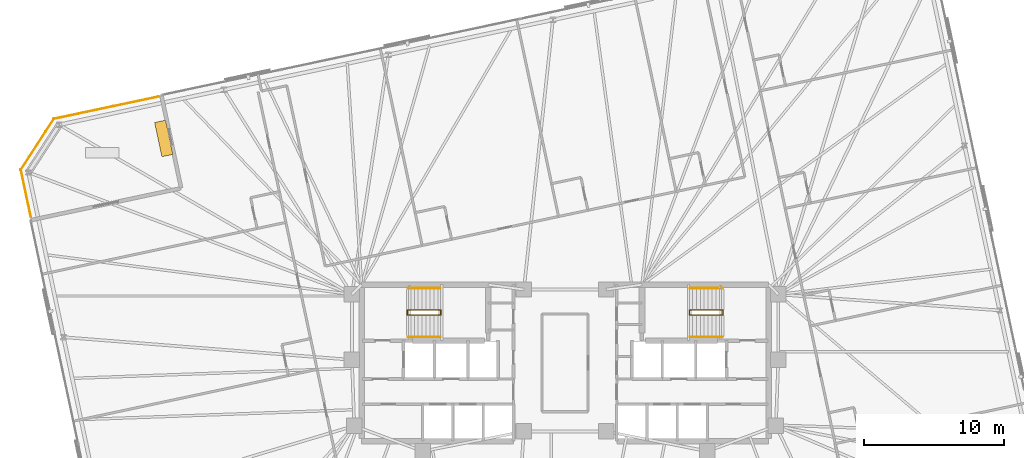
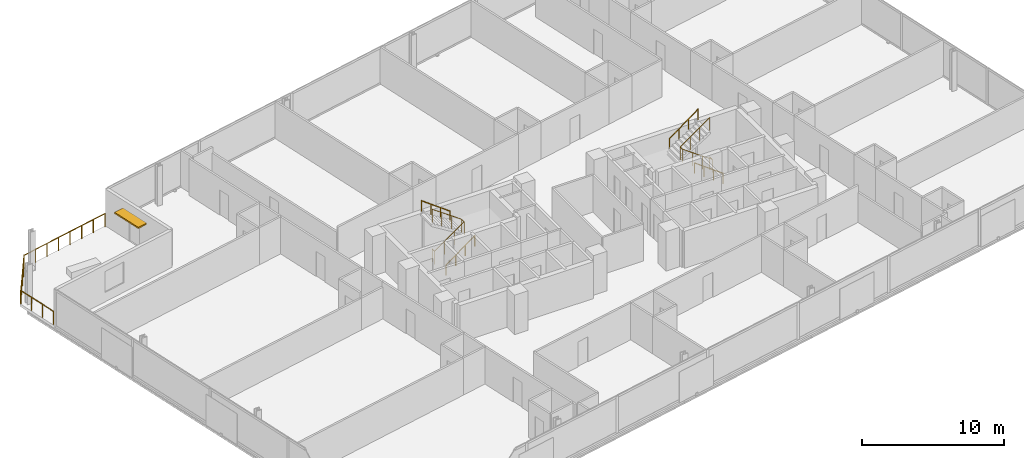
# One storey, part 20 of 20: 9 railings, 1 shading device.
"""IFC4 building model written with IfcOpenShell, lengths in metres."""

from ifc_helpers import new_model, si_unit, direction, frame, origin, origin_2d, place, context, subcontext, project, spatial, rectangle, circle, extrude, material, layer, layer_set, type_object, element, save


model = new_model("IFC4")

# Units and contexts
model_context = context("Model", 3, precision=1e-05, world=origin(), true_north=direction((0.0, 1.0)))
body_context = subcontext(model_context, "Body", "Model", "MODEL_VIEW")
ifc_project = project(units=[si_unit("LENGTHUNIT", "METRE"), si_unit("AREAUNIT", "SQUARE_METRE"), si_unit("VOLUMEUNIT", "CUBIC_METRE"), si_unit("PLANEANGLEUNIT", "RADIAN"), si_unit("MASSUNIT", "GRAM", prefix="KILO")], contexts=[model_context])

# Site, building, storey
site_placement = place(None, origin())
site = spatial("IfcSite", under=ifc_project, at=site_placement, CompositionType="ELEMENT")
building_placement = place(site_placement, origin())
building = spatial("IfcBuilding", under=site, at=building_placement, Name="Menara Jurai Vektor", CompositionType="ELEMENT")
storey_placement = place(building_placement, frame((0.0, 0.0, 175.199951171875)))
storey = spatial("IfcBuildingStorey", under=building, at=storey_placement, Name="L45", CompositionType="ELEMENT", Elevation=175.199951171875)

# Railings
ifc_material_1 = material(Name="Anodised Pale Aluminium & Laminated Glass Guardrail", Category="aluminium")
ifc_layer = layer(ifc_material_1, 0.070068359375)
ifc_layer_set = layer_set([ifc_layer], Name="Anodised Pale Aluminium & Laminated Glass Guardrail")
railing_type_1 = type_object("IfcRailingType", Name="ENV-RAIL-TER115", PredefinedType="GUARDRAIL", material=ifc_layer_set)
railing_1_placement = place(storey_placement, frame((-29.0810546875, 19.0478515625, 0.0)))
element("IfcRailing", 1, at=railing_1_placement, inside=storey, type_object=railing_type_1, Name="Spiral Terrace Guardrail L45-CRN-01", PredefinedType="GUARDRAIL", context=body_context, shape_type="SweptSolid", body=[
    extrude(circle(Radius=0.02392578125, at=origin_2d()), frame((0.0, 0.0, 1.1259765625), z_axis=(-0.978143497967, -0.207930991882, 0.0), x_axis=(0.207930991882, -0.978143497967, 0.0)), (0.0, 0.0, 1.0), 7.68017578125),
    extrude(circle(Radius=0.02099609375, at=origin_2d()), origin(), (0.0, 0.0, 1.0), 1.101806640625),
    extrude(circle(Radius=0.02099609375, at=origin_2d()), frame((-1.0732421875, -0.22802734375, 0.0)), (0.0, 0.0, 1.0), 1.101806640625),
    extrude(circle(Radius=0.02099609375, at=origin_2d()), frame((-2.146240234375, -0.456298828125, 0.0)), (0.0, 0.0, 1.0), 1.101806640625),
    extrude(circle(Radius=0.02099609375, at=origin_2d()), frame((-3.219482421875, -0.684326171875, 0.0)), (0.0, 0.0, 1.0), 1.101806640625),
    extrude(circle(Radius=0.02099609375, at=origin_2d()), frame((-4.292724609375, -0.91259765625, 0.0)), (0.0, 0.0, 1.0), 1.101806640625),
    extrude(circle(Radius=0.02099609375, at=origin_2d()), frame((-5.365966796875, -1.140625, 0.0)), (0.0, 0.0, 1.0), 1.101806640625),
    extrude(circle(Radius=0.02099609375, at=origin_2d()), frame((-6.43896484375, -1.368896484375, 0.0)), (0.0, 0.0, 1.0), 1.101806640625),
    extrude(circle(Radius=0.02099609375, at=origin_2d()), frame((-7.51220703125, -1.596923828125, 0.0)), (0.0, 0.0, 1.0), 1.101806640625),
])
railing_2_placement = place(storey_placement, frame((-36.555419921875, 17.47705078125, 0.0)))
element("IfcRailing", 2, at=railing_2_placement, inside=storey, type_object=railing_type_1, Name="Spiral Terrace Guardrail L45-CRN-02", PredefinedType="GUARDRAIL", context=body_context, shape_type="SweptSolid", body=[
    extrude(circle(Radius=0.02392578125, at=origin_2d()), frame((0.0, 0.0, 1.1259765625), z_axis=(-0.544635965926, -0.838672561027, 0.0), x_axis=(0.838672561027, -0.544635965926, 0.0)), (0.0, 0.0, 1.0), 4.384033203125),
    extrude(circle(Radius=0.02099609375, at=origin_2d()), origin(), (0.0, 0.0, 1.0), 1.101806640625),
    extrude(circle(Radius=0.02099609375, at=origin_2d()), frame((-0.596923828125, -0.919189453125, 0.0)), (0.0, 0.0, 1.0), 1.101806640625),
    extrude(circle(Radius=0.02099609375, at=origin_2d()), frame((-1.19384765625, -1.83837890625, 0.0)), (0.0, 0.0, 1.0), 1.101806640625),
    extrude(circle(Radius=0.02099609375, at=origin_2d()), frame((-1.790771484375, -2.757568359375, 0.0)), (0.0, 0.0, 1.0), 1.101806640625),
    extrude(circle(Radius=0.02099609375, at=origin_2d()), frame((-2.3876953125, -3.6767578125, 0.0)), (0.0, 0.0, 1.0), 1.101806640625),
])
railing_3_placement = place(storey_placement, frame((-38.934814453125, 13.845458984375, 0.0)))
element("IfcRailing", 3, at=railing_3_placement, inside=storey, type_object=railing_type_1, Name="Spiral Terrace Guardrail L45-CRN-03", PredefinedType="GUARDRAIL", context=body_context, shape_type="SweptSolid", body=[
    extrude(circle(Radius=0.02392578125, at=origin_2d()), frame((0.0, 0.0, 1.1259765625), z_axis=(0.20793342844, -0.978142980007, 0.0), x_axis=(0.978142980007, 0.20793342844, 0.0)), (0.0, 0.0, 1.0), 3.480224609375),
    extrude(circle(Radius=0.02099609375, at=origin_2d()), origin(), (0.0, 0.0, 1.0), 1.101806640625),
    extrude(circle(Radius=0.02099609375, at=origin_2d()), frame((0.2412109375, -1.134765625, 0.0)), (0.0, 0.0, 1.0), 1.101806640625),
    extrude(circle(Radius=0.02099609375, at=origin_2d()), frame((0.482421875, -2.269287109375, 0.0)), (0.0, 0.0, 1.0), 1.101806640625),
    extrude(circle(Radius=0.02099609375, at=origin_2d()), frame((0.7236328125, -3.404052734375, 0.0)), (0.0, 0.0, 1.0), 1.101806640625),
])

# Shading device
ifc_material_2 = material(Name="Anodised Pale Aluminium Sunshade Blade", Category="aluminium")
shading_device_type = type_object("IfcShadingDeviceType", Name="ENV-SHD-SUNSHADE", PredefinedType="USERDEFINED", material=ifc_material_2)
shading_device_placement = place(storey_placement, frame((-28.711181640625, 16.056396484375, 2.340087890625), z_axis=(0.0, 0.0, 1.0), x_axis=(0.207911690818, -0.978147600734, 0.0)))
element("IfcShadingDevice", 4, at=shading_device_placement, inside=storey, type_object=shading_device_type, Name="Doorway Pale-Metal Sunshade L45-TER", ObjectType="SUNSHADE", PredefinedType="USERDEFINED", context=body_context, shape_type="SweptSolid", body=[
    extrude(rectangle(XDim=2.5, YDim=0.800048828125, at=origin_2d()), origin(), (0.0, 0.0, 1.0), 0.1201171875),
])

# Railings
ifc_material_3 = material(Name="Painted Galvanised Steel Balustrade", Category="steel")
railing_type_2 = type_object("IfcRailingType", Name="RAIL-STAIR-GUARD", PredefinedType="GUARDRAIL", material=ifc_material_3)
railing_4_placement = place(storey_placement, frame((-11.2900390625, 3.780029296875, 0.0)))
element("IfcRailing", 5, at=railing_4_placement, inside=storey, type_object=railing_type_2, Name="ST1 Stair Guardrail 1 L45", PredefinedType="GUARDRAIL", context=body_context, shape_type="SweptSolid", body=[
    extrude(circle(Radius=0.02392578125, at=origin_2d()), frame((0.0, 0.0, 1.1259765625), z_axis=(0.0, -1.0, 0.0), x_axis=(1.0, 0.0, 0.0)), (0.0, 0.0, 1.0), 0.360107421875),
    extrude(circle(Radius=0.02392578125, at=origin_2d()), frame((0.0, -0.360107421875, 1.1259765625), z_axis=(0.816048950856, 0.0, 0.577982793694), x_axis=(0.0, 1.0, 0.0)), (0.0, 0.0, 1.0), 2.941162109375),
    extrude(circle(Radius=0.02392578125, at=origin_2d()), frame((2.400146484375, -0.360107421875, 2.82568359375), z_axis=(0.0, 1.0, 0.0), x_axis=(-1.0, 0.0, 0.0)), (0.0, 0.0, 1.0), 0.360107421875),
    extrude(circle(Radius=0.02392578125, at=origin_2d()), frame((2.400146484375, 0.0, 2.82568359375), z_axis=(-0.816009799251, 0.0, 0.57803806754), x_axis=(0.0, -1.0, 0.0)), (0.0, 0.0, 1.0), 2.94140625),
    extrude(circle(Radius=0.02099609375, at=origin_2d()), origin(), (0.0, 0.0, 1.0), 1.101806640625),
    extrude(circle(Radius=0.02099609375, at=origin_2d()), frame((0.0, -0.360107421875, 0.0)), (0.0, 0.0, 1.0), 1.101806640625),
    extrude(circle(Radius=0.02099609375, at=origin_2d()), frame((0.800048828125, -0.360107421875, 0.566650390625)), (0.0, 0.0, 1.0), 1.101806640625),
    extrude(circle(Radius=0.02099609375, at=origin_2d()), frame((1.60009765625, -0.360107421875, 1.13330078125)), (0.0, 0.0, 1.0), 1.101806640625),
    extrude(circle(Radius=0.02099609375, at=origin_2d()), frame((2.400146484375, -0.360107421875, 1.699951171875)), (0.0, 0.0, 1.0), 1.101806640625),
    extrude(circle(Radius=0.02099609375, at=origin_2d()), frame((2.400146484375, 0.0, 1.699951171875)), (0.0, 0.0, 1.0), 1.101806640625),
    extrude(circle(Radius=0.02099609375, at=origin_2d()), frame((1.60009765625, 0.0, 2.2666015625)), (0.0, 0.0, 1.0), 1.101806640625),
    extrude(circle(Radius=0.02099609375, at=origin_2d()), frame((0.800048828125, 0.0, 2.83349609375)), (0.0, 0.0, 1.0), 1.101806640625),
    extrude(circle(Radius=0.02099609375, at=origin_2d()), frame((0.0, 0.0, 3.400146484375)), (0.0, 0.0, 1.0), 1.101806640625),
])
railing_5_placement = place(storey_placement, frame((11.2900390625, 3.780029296875, 0.0)))
element("IfcRailing", 6, at=railing_5_placement, inside=storey, type_object=railing_type_2, Name="ST2 Stair Guardrail 1 L45", PredefinedType="GUARDRAIL", context=body_context, shape_type="SweptSolid", body=[
    extrude(circle(Radius=0.02392578125, at=origin_2d()), frame((0.0, 0.0, 1.1259765625), z_axis=(0.0, -1.0, 0.0), x_axis=(1.0, 0.0, 0.0)), (0.0, 0.0, 1.0), 0.360107421875),
    extrude(circle(Radius=0.02392578125, at=origin_2d()), frame((0.0, -0.360107421875, 1.1259765625), z_axis=(-0.816048950856, 0.0, 0.577982793694), x_axis=(0.0, -1.0, 0.0)), (0.0, 0.0, 1.0), 2.941162109375),
    extrude(circle(Radius=0.02392578125, at=origin_2d()), frame((-2.400146484375, -0.360107421875, 2.82568359375), z_axis=(0.0, 1.0, 0.0), x_axis=(-1.0, 0.0, 0.0)), (0.0, 0.0, 1.0), 0.360107421875),
    extrude(circle(Radius=0.02392578125, at=origin_2d()), frame((-2.400146484375, 0.0, 2.82568359375), z_axis=(0.816009799251, 0.0, 0.57803806754), x_axis=(0.0, 1.0, 0.0)), (0.0, 0.0, 1.0), 2.94140625),
    extrude(circle(Radius=0.02099609375, at=origin_2d()), origin(), (0.0, 0.0, 1.0), 1.101806640625),
    extrude(circle(Radius=0.02099609375, at=origin_2d()), frame((0.0, -0.360107421875, 0.0)), (0.0, 0.0, 1.0), 1.101806640625),
    extrude(circle(Radius=0.02099609375, at=origin_2d()), frame((-0.800048828125, -0.360107421875, 0.566650390625)), (0.0, 0.0, 1.0), 1.101806640625),
    extrude(circle(Radius=0.02099609375, at=origin_2d()), frame((-1.60009765625, -0.360107421875, 1.13330078125)), (0.0, 0.0, 1.0), 1.101806640625),
    extrude(circle(Radius=0.02099609375, at=origin_2d()), frame((-2.400146484375, -0.360107421875, 1.699951171875)), (0.0, 0.0, 1.0), 1.101806640625),
    extrude(circle(Radius=0.02099609375, at=origin_2d()), frame((-2.400146484375, 0.0, 1.699951171875)), (0.0, 0.0, 1.0), 1.101806640625),
    extrude(circle(Radius=0.02099609375, at=origin_2d()), frame((-1.60009765625, 0.0, 2.2666015625)), (0.0, 0.0, 1.0), 1.101806640625),
    extrude(circle(Radius=0.02099609375, at=origin_2d()), frame((-0.800048828125, 0.0, 2.83349609375)), (0.0, 0.0, 1.0), 1.101806640625),
    extrude(circle(Radius=0.02099609375, at=origin_2d()), frame((0.0, 0.0, 3.400146484375)), (0.0, 0.0, 1.0), 1.101806640625),
])
ifc_material_4 = material(Name="Brushed Stainless Steel Handrail", Category="steel")
railing_type_3 = type_object("IfcRailingType", Name="RAIL-STAIR-HAND", PredefinedType="HANDRAIL", material=ifc_material_4)
railing_6_placement = place(storey_placement, frame((-11.25, 1.860107421875, 0.0)))
element("IfcRailing", 7, at=railing_6_placement, inside=storey, type_object=railing_type_3, Name="ST1 Stair Handrail 1 L45", PredefinedType="HANDRAIL", context=body_context, shape_type="SweptSolid", body=[
    extrude(circle(Radius=0.02392578125, at=origin_2d()), frame((0.0, 0.0, 0.89599609375), z_axis=(0.806642406755, 0.0, 0.591039785145), x_axis=(0.0, 1.0, 0.0)), (0.0, 0.0, 1.0), 2.876220703125),
    extrude(circle(Radius=0.02099609375, at=origin_2d()), origin(), (0.0, 0.0, 1.0), 0.871826171875),
    extrude(circle(Radius=0.02099609375, at=origin_2d()), frame((0.7734375, 0.0, 0.566650390625)), (0.0, 0.0, 1.0), 0.871826171875),
    extrude(circle(Radius=0.02099609375, at=origin_2d()), frame((1.546630859375, 0.0, 1.13330078125)), (0.0, 0.0, 1.0), 0.871826171875),
    extrude(circle(Radius=0.02099609375, at=origin_2d()), frame((2.320068359375, 0.0, 1.699951171875)), (0.0, 0.0, 1.0), 0.871826171875),
])
railing_7_placement = place(storey_placement, frame((-8.929931640625, 5.340087890625, 1.699951171875)))
element("IfcRailing", 8, at=railing_7_placement, inside=storey, type_object=railing_type_3, Name="ST1 Stair Handrail 2 L45", PredefinedType="HANDRAIL", context=body_context, shape_type="SweptSolid", body=[
    extrude(circle(Radius=0.02392578125, at=origin_2d()), frame((0.0, 0.0, 0.89599609375), z_axis=(-0.806601938303, 0.0, 0.591095011927), x_axis=(0.0, -1.0, 0.0)), (0.0, 0.0, 1.0), 2.87646484375),
    extrude(circle(Radius=0.02099609375, at=origin_2d()), origin(), (0.0, 0.0, 1.0), 0.871826171875),
    extrude(circle(Radius=0.02099609375, at=origin_2d()), frame((-0.7734375, 0.0, 0.566650390625)), (0.0, 0.0, 1.0), 0.871826171875),
    extrude(circle(Radius=0.02099609375, at=origin_2d()), frame((-1.546630859375, 0.0, 1.133544921875)), (0.0, 0.0, 1.0), 0.871826171875),
    extrude(circle(Radius=0.02099609375, at=origin_2d()), frame((-2.320068359375, 0.0, 1.7001953125)), (0.0, 0.0, 1.0), 0.871826171875),
])
railing_8_placement = place(storey_placement, frame((11.25, 1.860107421875, 0.0)))
element("IfcRailing", 9, at=railing_8_placement, inside=storey, type_object=railing_type_3, Name="ST2 Stair Handrail 1 L45", PredefinedType="HANDRAIL", context=body_context, shape_type="SweptSolid", body=[
    extrude(circle(Radius=0.02392578125, at=origin_2d()), frame((0.0, 0.0, 0.89599609375), z_axis=(-0.806642406755, 0.0, 0.591039785145), x_axis=(0.0, -1.0, 0.0)), (0.0, 0.0, 1.0), 2.876220703125),
    extrude(circle(Radius=0.02099609375, at=origin_2d()), origin(), (0.0, 0.0, 1.0), 0.871826171875),
    extrude(circle(Radius=0.02099609375, at=origin_2d()), frame((-0.7734375, 0.0, 0.566650390625)), (0.0, 0.0, 1.0), 0.871826171875),
    extrude(circle(Radius=0.02099609375, at=origin_2d()), frame((-1.546630859375, 0.0, 1.13330078125)), (0.0, 0.0, 1.0), 0.871826171875),
    extrude(circle(Radius=0.02099609375, at=origin_2d()), frame((-2.320068359375, 0.0, 1.699951171875)), (0.0, 0.0, 1.0), 0.871826171875),
])
railing_9_placement = place(storey_placement, frame((8.929931640625, 5.340087890625, 1.699951171875)))
element("IfcRailing", 10, at=railing_9_placement, inside=storey, type_object=railing_type_3, Name="ST2 Stair Handrail 2 L45", PredefinedType="HANDRAIL", context=body_context, shape_type="SweptSolid", body=[
    extrude(circle(Radius=0.02392578125, at=origin_2d()), frame((0.0, 0.0, 0.89599609375), z_axis=(0.806601938303, 0.0, 0.591095011927), x_axis=(0.0, 1.0, 0.0)), (0.0, 0.0, 1.0), 2.87646484375),
    extrude(circle(Radius=0.02099609375, at=origin_2d()), origin(), (0.0, 0.0, 1.0), 0.871826171875),
    extrude(circle(Radius=0.02099609375, at=origin_2d()), frame((0.7734375, 0.0, 0.566650390625)), (0.0, 0.0, 1.0), 0.871826171875),
    extrude(circle(Radius=0.02099609375, at=origin_2d()), frame((1.546630859375, 0.0, 1.133544921875)), (0.0, 0.0, 1.0), 0.871826171875),
    extrude(circle(Radius=0.02099609375, at=origin_2d()), frame((2.320068359375, 0.0, 1.7001953125)), (0.0, 0.0, 1.0), 0.871826171875),
])

save(model, "model.ifc")
